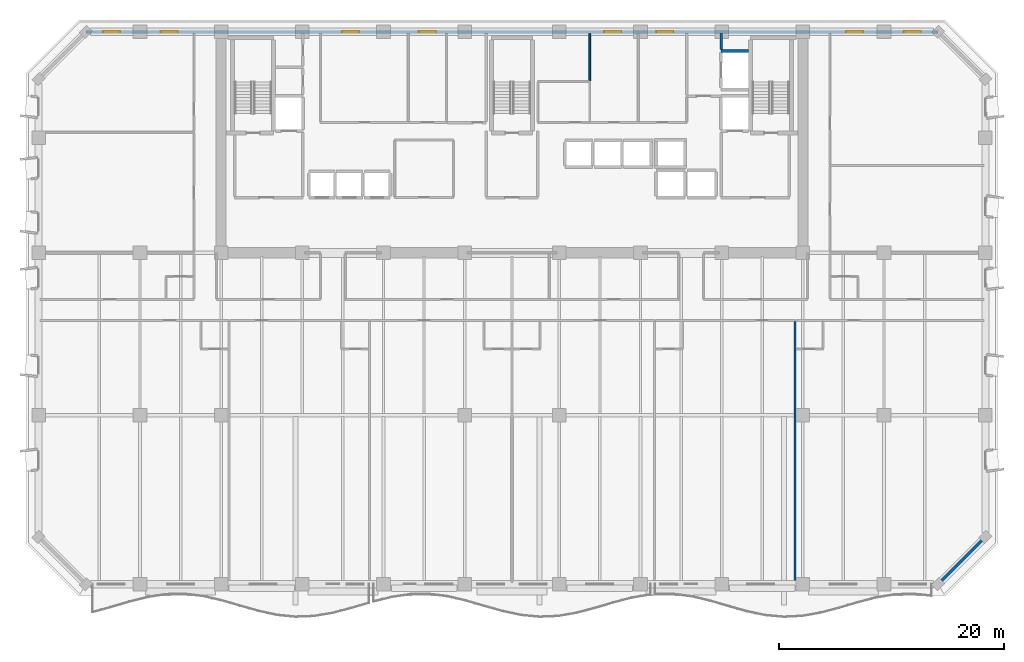
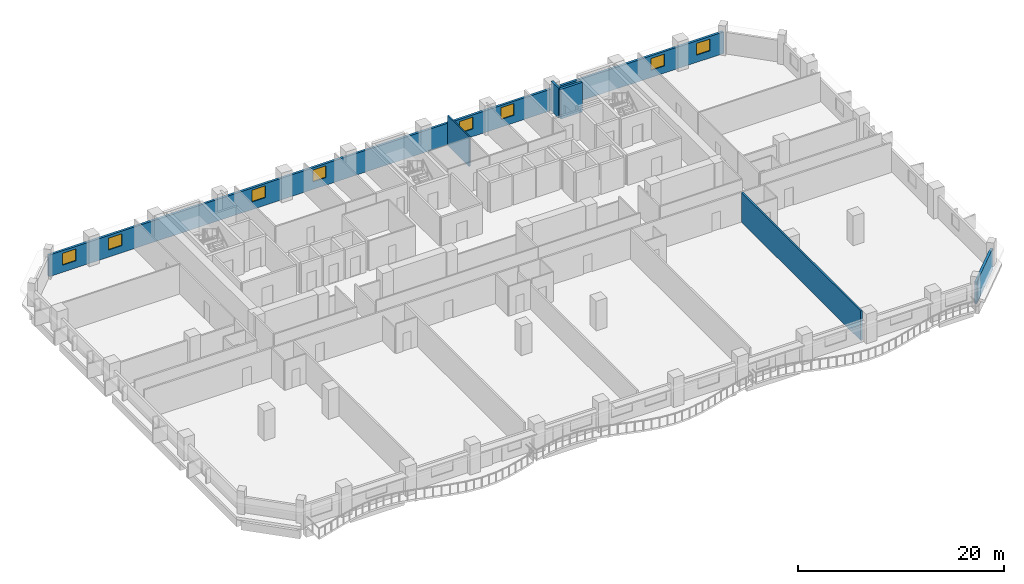
# One storey, part 9 of 15: 8 windows, 6 walls, 8 openings.
"""IFC4 building model written with IfcOpenShell, lengths in metres."""

from ifc_helpers import new_model, si_unit, direction, frame, frame_2d, origin, place, context, subcontext, project, spatial, rectangle, extrude, material, layer, layer_set, type_object, element, fill, save


model = new_model("IFC4")

# Units and contexts
model_context = context("Model", 3, precision=1e-05, world=origin(), true_north=direction((0.0, 1.0)))
body_context = subcontext(model_context, "Body", "Model", "MODEL_VIEW")
ifc_project = project(units=[si_unit("LENGTHUNIT", "METRE"), si_unit("AREAUNIT", "SQUARE_METRE"), si_unit("VOLUMEUNIT", "CUBIC_METRE"), si_unit("PLANEANGLEUNIT", "RADIAN"), si_unit("MASSUNIT", "GRAM", prefix="KILO")], contexts=[model_context])

# Site, building, storey
site_placement = place(None, origin())
site = spatial("IfcSite", under=ifc_project, at=site_placement, CompositionType="ELEMENT")
building_placement = place(site_placement, origin())
building = spatial("IfcBuilding", under=site, at=building_placement, Name="Kaelvorn Grand Hotel", CompositionType="ELEMENT")
storey_placement = place(building_placement, frame((0.0, 0.0, 115.550048828125)))
storey = spatial("IfcBuildingStorey", under=building, at=storey_placement, Name="L27", CompositionType="ELEMENT", Elevation=115.550048828125)

# Wall
ifc_material_1 = material(Name="Concrete C40/50", Category="concrete")
ifc_layer_1 = layer(ifc_material_1, 0.260009765625)
ifc_layer_set_1 = layer_set([ifc_layer_1], Name="Concrete C40/50")
wall_type_1 = type_object("IfcWallType", Name="WL-EXT-260-C40", PredefinedType="SOLIDWALL", material=ifc_layer_set_1)
wall_1_placement = place(storey_placement, frame((79.800048828125, 0.0, 0.0), z_axis=(0.0, 0.0, 1.0), x_axis=(0.707106781187, 0.707106781187, 0.0)))
element("IfcWall", 1, at=wall_1_placement, inside=storey, type_object=wall_type_1, Name="L27 Exterior Architectural Concrete Wall 02", PredefinedType="SOLIDWALL", context=body_context, shape_type="SweptSolid", body=[
    extrude(rectangle(XDim=5.939697265625, YDim=0.260009765625, at=frame_2d((2.9697265625, 0.0))), origin(), (0.0, 0.0, 1.0), 2.56005859375),
])

# Wall, openings, windows
wall_2_placement = place(storey_placement, frame((79.800048828125, 49.0, 0.0), z_axis=(0.0, 0.0, 1.0), x_axis=(-1.0, 0.0, 0.0)))
wall_2 = element("IfcWall", 2, at=wall_2_placement, inside=storey, type_object=wall_type_1, Name="L27 Exterior Architectural Concrete Wall 05", PredefinedType="SOLIDWALL", context=body_context, shape_type="SweptSolid", body=[
    extrude(rectangle(XDim=75.60009765625, YDim=0.260009765625, at=frame_2d((37.800048828125, 0.0))), origin(), (0.0, 0.0, 1.0), 2.56005859375),
])
opening_1_placement = place(wall_2_placement, frame((72.56494140625, 0.0, 0.85009765625)))
opening_1 = element("IfcOpeningElement", 3, at=opening_1_placement, cuts=wall_2, Name="Opening W10", PredefinedType="OPENING", context=body_context, shape_type="SweptSolid", body=[
    extrude(rectangle(XDim=1.5, YDim=1.39990234375, at=frame_2d((0.75, 0.699951171875))), frame((0.0, 0.14013671875, 0.0), z_axis=(0.0, -1.0, 0.0), x_axis=(1.0, 0.0, 0.0)), (0.0, 0.0, 1.0), 0.280029296875),
])
opening_2_placement = place(wall_2_placement, frame((67.449951171875, 0.0, 0.85009765625)))
opening_2 = element("IfcOpeningElement", 4, at=opening_2_placement, cuts=wall_2, Name="Opening W10", PredefinedType="OPENING", context=body_context, shape_type="SweptSolid", body=[
    extrude(rectangle(XDim=1.5, YDim=1.39990234375, at=frame_2d((0.75, 0.699951171875))), frame((0.0, 0.14013671875, 0.0), z_axis=(0.0, -1.0, 0.0), x_axis=(1.0, 0.0, 0.0)), (0.0, 0.0, 1.0), 0.280029296875),
])
opening_3_placement = place(wall_2_placement, frame((6.64990234375, 0.0, 0.85009765625)))
opening_3 = element("IfcOpeningElement", 5, at=opening_3_placement, cuts=wall_2, Name="Opening W10", PredefinedType="OPENING", context=body_context, shape_type="SweptSolid", body=[
    extrude(rectangle(XDim=1.5, YDim=1.39990234375, at=frame_2d((0.75, 0.699951171875))), frame((0.0, 0.14013671875, 0.0), z_axis=(0.0, -1.0, 0.0), x_axis=(1.0, 0.0, 0.0)), (0.0, 0.0, 1.0), 0.280029296875),
])
opening_4_placement = place(wall_2_placement, frame((1.534912109375, 0.0, 0.85009765625)))
opening_4 = element("IfcOpeningElement", 6, at=opening_4_placement, cuts=wall_2, Name="Opening W10", PredefinedType="OPENING", context=body_context, shape_type="SweptSolid", body=[
    extrude(rectangle(XDim=1.5, YDim=1.39990234375, at=frame_2d((0.75, 0.699951171875))), frame((0.0, 0.14013671875, 0.0), z_axis=(0.0, -1.0, 0.0), x_axis=(1.0, 0.0, 0.0)), (0.0, 0.0, 1.0), 0.280029296875),
])
opening_5_placement = place(wall_2_placement, frame((51.364990234375, 0.0, 0.89990234375)))
opening_5 = element("IfcOpeningElement", 7, at=opening_5_placement, cuts=wall_2, Name="Opening W10", PredefinedType="OPENING", context=body_context, shape_type="SweptSolid", body=[
    extrude(rectangle(XDim=1.5, YDim=1.39990234375, at=frame_2d((0.75, 0.699951171875))), frame((0.0, 0.14013671875, 0.0), z_axis=(0.0, -1.0, 0.0), x_axis=(1.0, 0.0, 0.0)), (0.0, 0.0, 1.0), 0.280029296875),
])
opening_6_placement = place(wall_2_placement, frame((44.550048828125, 0.0, 0.89990234375)))
opening_6 = element("IfcOpeningElement", 8, at=opening_6_placement, cuts=wall_2, Name="Opening W10", PredefinedType="OPENING", context=body_context, shape_type="SweptSolid", body=[
    extrude(rectangle(XDim=1.5, YDim=1.39990234375, at=frame_2d((0.75, 0.699951171875))), frame((0.0, 0.14013671875, 0.0), z_axis=(0.0, -1.0, 0.0), x_axis=(1.0, 0.0, 0.0)), (0.0, 0.0, 1.0), 0.280029296875),
])
opening_7_placement = place(wall_2_placement, frame((28.10009765625, 0.0, 0.89990234375)))
opening_7 = element("IfcOpeningElement", 9, at=opening_7_placement, cuts=wall_2, Name="Opening W10", PredefinedType="OPENING", context=body_context, shape_type="SweptSolid", body=[
    extrude(rectangle(XDim=1.5, YDim=1.39990234375, at=frame_2d((0.75, 0.699951171875))), frame((0.0, 0.14013671875, 0.0), z_axis=(0.0, -1.0, 0.0), x_axis=(1.0, 0.0, 0.0)), (0.0, 0.0, 1.0), 0.280029296875),
])
opening_8_placement = place(wall_2_placement, frame((23.485107421875, 0.0, 0.89990234375)))
opening_8 = element("IfcOpeningElement", 10, at=opening_8_placement, cuts=wall_2, Name="Opening W10", PredefinedType="OPENING", context=body_context, shape_type="SweptSolid", body=[
    extrude(rectangle(XDim=1.5, YDim=1.39990234375, at=frame_2d((0.75, 0.699951171875))), frame((0.0, 0.14013671875, 0.0), z_axis=(0.0, -1.0, 0.0), x_axis=(1.0, 0.0, 0.0)), (0.0, 0.0, 1.0), 0.280029296875),
])
ifc_material_2 = material(Name="Laminated Low-E Glass", Category="glass")
window_type = type_object("IfcWindowType", Name="WIN-COR-1500x1400", PartitioningType="SINGLE_PANEL", PredefinedType="WINDOW", material=ifc_material_2)
window_1_placement = place(opening_1_placement, origin())
window_1 = element("IfcWindow", 11, at=window_1_placement, inside=storey, type_object=window_type, Name="L27 North Wing Ribbon Window NW01", OverallHeight=1.39990234375, OverallWidth=1.5, PartitioningType="SINGLE_PANEL", PredefinedType="WINDOW", context=body_context, shape_type="SweptSolid", body=[
    extrude(rectangle(XDim=1.5, YDim=1.39990234375, at=frame_2d((0.75, 0.699951171875))), frame((0.0, 0.030029296875, 0.0), z_axis=(0.0, -1.0, 0.0), x_axis=(1.0, 0.0, 0.0)), (0.0, 0.0, 1.0), 0.06005859375),
])
fill(opening_1, window_1)
window_2_placement = place(opening_2_placement, origin())
window_2 = element("IfcWindow", 12, at=window_2_placement, inside=storey, type_object=window_type, Name="L27 North Wing Ribbon Window NW02", OverallHeight=1.39990234375, OverallWidth=1.5, PartitioningType="SINGLE_PANEL", PredefinedType="WINDOW", context=body_context, shape_type="SweptSolid", body=[
    extrude(rectangle(XDim=1.5, YDim=1.39990234375, at=frame_2d((0.75, 0.699951171875))), frame((0.0, 0.030029296875, 0.0), z_axis=(0.0, -1.0, 0.0), x_axis=(1.0, 0.0, 0.0)), (0.0, 0.0, 1.0), 0.06005859375),
])
fill(opening_2, window_2)
window_3_placement = place(opening_3_placement, origin())
window_3 = element("IfcWindow", 13, at=window_3_placement, inside=storey, type_object=window_type, Name="L27 North Wing Ribbon Window NW03", OverallHeight=1.39990234375, OverallWidth=1.5, PartitioningType="SINGLE_PANEL", PredefinedType="WINDOW", context=body_context, shape_type="SweptSolid", body=[
    extrude(rectangle(XDim=1.5, YDim=1.39990234375, at=frame_2d((0.75, 0.699951171875))), frame((0.0, 0.030029296875, 0.0), z_axis=(0.0, -1.0, 0.0), x_axis=(1.0, 0.0, 0.0)), (0.0, 0.0, 1.0), 0.06005859375),
])
fill(opening_3, window_3)
window_4_placement = place(opening_4_placement, origin())
window_4 = element("IfcWindow", 14, at=window_4_placement, inside=storey, type_object=window_type, Name="L27 North Wing Ribbon Window NW04", OverallHeight=1.39990234375, OverallWidth=1.5, PartitioningType="SINGLE_PANEL", PredefinedType="WINDOW", context=body_context, shape_type="SweptSolid", body=[
    extrude(rectangle(XDim=1.5, YDim=1.39990234375, at=frame_2d((0.75, 0.699951171875))), frame((0.0, 0.030029296875, 0.0), z_axis=(0.0, -1.0, 0.0), x_axis=(1.0, 0.0, 0.0)), (0.0, 0.0, 1.0), 0.06005859375),
])
fill(opening_4, window_4)
window_5_placement = place(opening_5_placement, origin())
window_5 = element("IfcWindow", 15, at=window_5_placement, inside=storey, type_object=window_type, Name="L27 North Core Clerestory Ribbon Window NC05", OverallHeight=1.39990234375, OverallWidth=1.5, PartitioningType="SINGLE_PANEL", PredefinedType="WINDOW", context=body_context, shape_type="SweptSolid", body=[
    extrude(rectangle(XDim=1.5, YDim=1.39990234375, at=frame_2d((0.75, 0.699951171875))), frame((0.0, 0.030029296875, 0.0), z_axis=(0.0, -1.0, 0.0), x_axis=(1.0, 0.0, 0.0)), (0.0, 0.0, 1.0), 0.06005859375),
])
fill(opening_5, window_5)
window_6_placement = place(opening_6_placement, origin())
window_6 = element("IfcWindow", 16, at=window_6_placement, inside=storey, type_object=window_type, Name="L27 North Core Clerestory Ribbon Window NC06", OverallHeight=1.39990234375, OverallWidth=1.5, PartitioningType="SINGLE_PANEL", PredefinedType="WINDOW", context=body_context, shape_type="SweptSolid", body=[
    extrude(rectangle(XDim=1.5, YDim=1.39990234375, at=frame_2d((0.75, 0.699951171875))), frame((0.0, 0.030029296875, 0.0), z_axis=(0.0, -1.0, 0.0), x_axis=(1.0, 0.0, 0.0)), (0.0, 0.0, 1.0), 0.06005859375),
])
fill(opening_6, window_6)
window_7_placement = place(opening_7_placement, origin())
window_7 = element("IfcWindow", 17, at=window_7_placement, inside=storey, type_object=window_type, Name="L27 North Core Clerestory Ribbon Window NC07", OverallHeight=1.39990234375, OverallWidth=1.5, PartitioningType="SINGLE_PANEL", PredefinedType="WINDOW", context=body_context, shape_type="SweptSolid", body=[
    extrude(rectangle(XDim=1.5, YDim=1.39990234375, at=frame_2d((0.75, 0.699951171875))), frame((0.0, 0.030029296875, 0.0), z_axis=(0.0, -1.0, 0.0), x_axis=(1.0, 0.0, 0.0)), (0.0, 0.0, 1.0), 0.06005859375),
])
fill(opening_7, window_7)
window_8_placement = place(opening_8_placement, origin())
window_8 = element("IfcWindow", 18, at=window_8_placement, inside=storey, type_object=window_type, Name="L27 North Core Clerestory Ribbon Window NC08", OverallHeight=1.39990234375, OverallWidth=1.5, PartitioningType="SINGLE_PANEL", PredefinedType="WINDOW", context=body_context, shape_type="SweptSolid", body=[
    extrude(rectangle(XDim=1.5, YDim=1.39990234375, at=frame_2d((0.75, 0.699951171875))), frame((0.0, 0.030029296875, 0.0), z_axis=(0.0, -1.0, 0.0), x_axis=(1.0, 0.0, 0.0)), (0.0, 0.0, 1.0), 0.06005859375),
])
fill(opening_8, window_8)

# Walls
ifc_material_3 = material(Name="Acoustic Gypsum & Stud Partition")
ifc_layer_2 = layer(ifc_material_3, 0.14990234375)
ifc_layer_set_2 = layer_set([ifc_layer_2], Name="Acoustic Gypsum & Stud Partition")
wall_type_2 = type_object("IfcWallType", Name="WL-PART-150-EI60", PredefinedType="PARTITIONING", material=ifc_layer_set_2)
wall_3_placement = place(storey_placement, frame((48.89990234375, 44.66748046875, 0.0), z_axis=(0.0, 0.0, 1.0), x_axis=(0.0, 1.0, 0.0)))
element("IfcWall", 19, at=wall_3_placement, inside=storey, type_object=wall_type_2, Name="L27 Minibar & Glassware Store W Partition", PredefinedType="PARTITIONING", context=body_context, shape_type="SweptSolid", body=[
    extrude(rectangle(XDim=4.1826171875, YDim=0.14990234375, at=frame_2d((2.09130859375, 0.0))), origin(), (0.0, 0.0, 1.0), 3.510009765625),
])
ifc_layer_3 = layer(ifc_material_3, 0.179931640625)
ifc_layer_set_3 = layer_set([ifc_layer_3], Name="Acoustic Gypsum & Stud Partition")
wall_type_3 = type_object("IfcWallType", Name="WL-PART-180-EI60", PredefinedType="PARTITIONING", material=ifc_layer_set_3)
wall_4_placement = place(storey_placement, frame((67.100341796875, 0.14990234375, 0.0), z_axis=(0.0, 0.0, 1.0), x_axis=(0.0, 1.0, 0.0)))
element("IfcWall", 20, at=wall_4_placement, inside=storey, type_object=wall_type_3, Name="L27 Presidential Sky Suite L27-05 E Partition", PredefinedType="PARTITIONING", context=body_context, shape_type="SweptSolid", body=[
    extrude(rectangle(XDim=23.155029296875, YDim=0.179931640625, at=frame_2d((11.57763671875, 0.0))), origin(), (0.0, 0.0, 1.0), 3.510009765625),
])
ifc_layer_4 = layer(ifc_material_1, 0.219970703125)
ifc_layer_set_4 = layer_set([ifc_layer_4], Name="Concrete C40/50")
wall_type_4 = type_object("IfcWallType", Name="WL-PART-220-EI120", PredefinedType="PARTITIONING", material=ifc_layer_set_4)
wall_5_placement = place(storey_placement, frame((60.550048828125, 47.445068359375, 0.0), z_axis=(0.0, 0.0, 1.0), x_axis=(0.0, 1.0, 0.0)))
element("IfcWall", 21, at=wall_5_placement, inside=storey, type_object=wall_type_4, Name="L27 Service Lift Lobby E Partition", PredefinedType="PARTITIONING", context=body_context, shape_type="SweptSolid", body=[
    extrude(rectangle(XDim=1.405029296875, YDim=0.219970703125, at=frame_2d((0.70263671875, 0.0))), origin(), (0.0, 0.0, 1.0), 3.510009765625),
])
ifc_material_4 = material(Name="Concrete C50/60", Category="concrete")
ifc_layer_5 = layer(ifc_material_4, 0.280029296875)
ifc_layer_set_5 = layer_set([ifc_layer_5], Name="Concrete C50/60")
wall_type_5 = type_object("IfcWallType", Name="WL-SHAFT-280-C50", PredefinedType="SHEAR", material=ifc_layer_set_5)
wall_6_placement = place(storey_placement, frame((60.550048828125, 47.300048828125, 0.0), z_axis=(0.0, 0.0, 1.0), x_axis=(1.0, 0.0, 0.0)))
element("IfcWall", 22, at=wall_6_placement, inside=storey, type_object=wall_type_5, Name="L27 Lift SV1 Shaft North Wall", PredefinedType="SHEAR", context=body_context, shape_type="SweptSolid", body=[
    extrude(rectangle(XDim=2.4150390625, YDim=0.280029296875, at=frame_2d((1.20751953125, 0.0))), origin(), (0.0, 0.0, 1.0), 3.510009765625),
])

save(model, "model.ifc")
